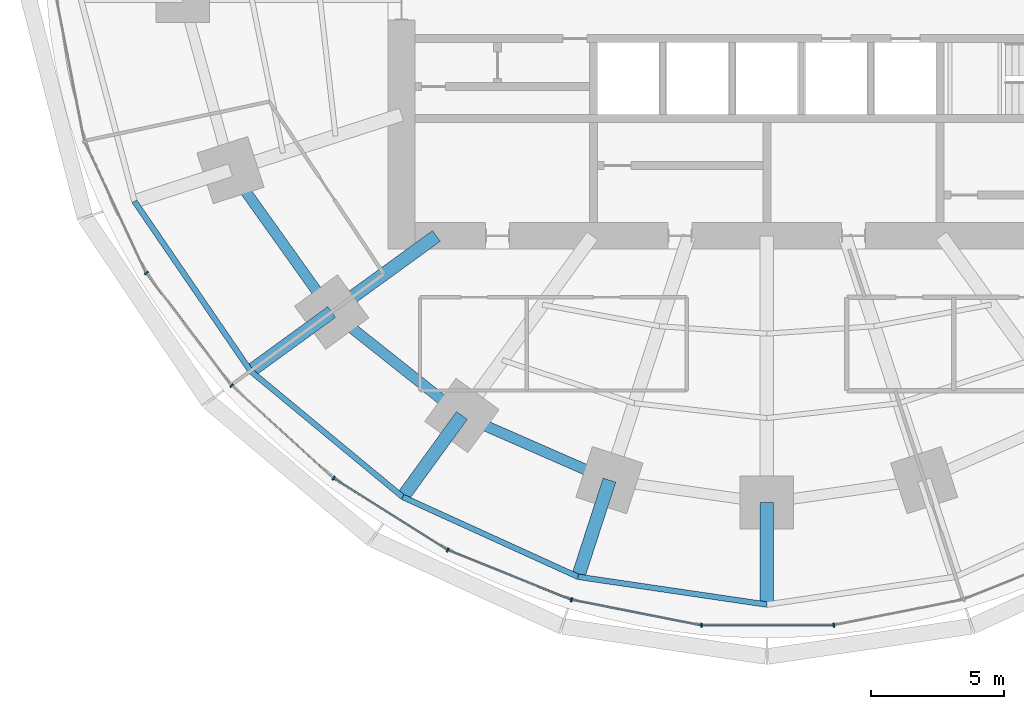
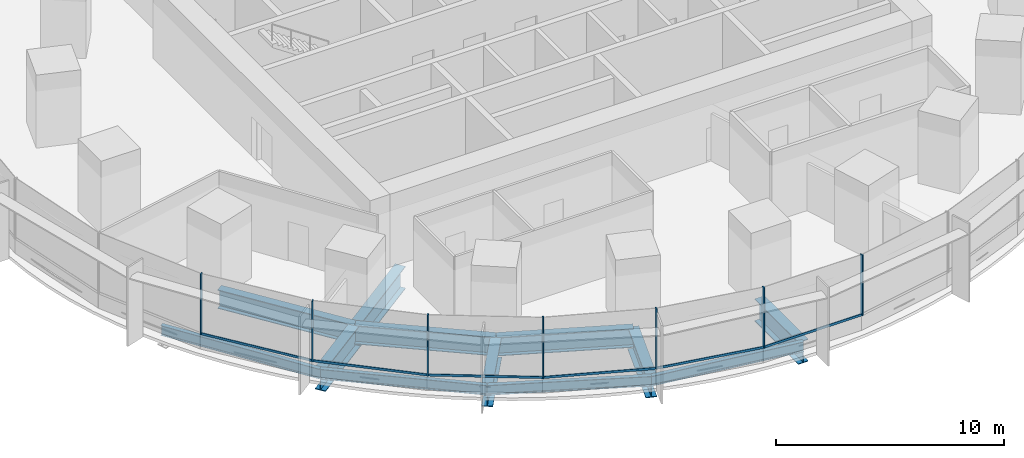
# One storey, part 2 of 15: 13 members, 12 beams, 2 elements without a shape of their own.
"""IFC4 building model written with IfcOpenShell, lengths in metres."""

from ifc_helpers import new_model, si_unit, direction, frame, origin, origin_2d, place, context, subcontext, project, spatial, rectangle, i_section, extrude, material, material_profile, profile_set, type_object, element, aggregate, save


model = new_model("IFC4")

# Units and contexts
model_context = context("Model", 3, precision=1e-05, world=origin(), true_north=direction((0.0, 1.0)))
body_context = subcontext(model_context, "Body", "Model", "MODEL_VIEW")
ifc_project = project(units=[si_unit("LENGTHUNIT", "METRE"), si_unit("AREAUNIT", "SQUARE_METRE"), si_unit("VOLUMEUNIT", "CUBIC_METRE"), si_unit("PLANEANGLEUNIT", "RADIAN"), si_unit("MASSUNIT", "GRAM", prefix="KILO")], contexts=[model_context])

# Site, building, storey
site_placement = place(None, origin())
site = spatial("IfcSite", under=ifc_project, at=site_placement, CompositionType="ELEMENT")
building_placement = place(site_placement, origin())
building = spatial("IfcBuilding", under=site, at=building_placement, Name="Marramba Exchange Tower", CompositionType="ELEMENT")
storey_placement = place(building_placement, frame((0.0, 0.0, 28.0)))
storey = spatial("IfcBuildingStorey", under=building, at=storey_placement, Name="L06", CompositionType="ELEMENT", Elevation=28.0)

# Beams
ifc_material_1 = material(Name="Steel AS/NZS 3679.2 grade 300", Category="steel")
ifc_material_profile_1 = material_profile(ifc_material_1, i_section(OverallWidth=0.5, OverallDepth=1.199951171875, WebThickness=0.01611328125, FlangeThickness=0.0400390625, at=origin_2d()), Name="1200WB455")
ifc_profile_set_1 = profile_set([ifc_material_profile_1], Name="Steel AS/NZS 3679.2 grade 300")
beam_type_1 = type_object("IfcBeamType", Name="Cantilever girder 1200WB455", PredefinedType="BEAM", material=ifc_profile_set_1)
beam_1_placement = place(storey_placement, frame((-16.3154296875, -11.853759765625, -0.760009765625), z_axis=(-0.809008346081, -0.587797155463, 0.0), x_axis=(0.587797155463, -0.809008346081, 0.0)))
element("IfcBeam", 1, at=beam_1_placement, inside=storey, type_object=beam_type_1, Name="Cantilever girder L06 TC13", PredefinedType="BEAM", context=body_context, shape_type="SweptSolid", body=[
    extrude(i_section(OverallWidth=0.5, OverallDepth=1.199951171875, WebThickness=0.01611328125, FlangeThickness=0.0400390625, at=origin_2d()), origin(), (0.0, 0.0, 1.0), 3.76025390625),
])
beam_2_placement = place(storey_placement, frame((-11.430419921875, -15.732666015625, -0.760009765625), z_axis=(-0.587787232741, -0.809015555491, 0.0), x_axis=(0.809015555491, -0.587787232741, 0.0)))
element("IfcBeam", 2, at=beam_2_placement, inside=storey, type_object=beam_type_1, Name="Cantilever girder L06 TC14", PredefinedType="BEAM", context=body_context, shape_type="SweptSolid", body=[
    extrude(i_section(OverallWidth=0.5, OverallDepth=1.199951171875, WebThickness=0.01611328125, FlangeThickness=0.0400390625, at=origin_2d()), origin(), (0.0, 0.0, 1.0), 3.7763671875),
])
beam_3_placement = place(storey_placement, frame((-5.899658203125, -18.156982421875, -0.760009765625), z_axis=(-0.309009272901, -0.951059025119, 0.0), x_axis=(0.951059025119, -0.309009272901, 0.0)))
element("IfcBeam", 3, at=beam_3_placement, inside=storey, type_object=beam_type_1, Name="Cantilever girder L06 TC15", PredefinedType="BEAM", context=body_context, shape_type="SweptSolid", body=[
    extrude(i_section(OverallWidth=0.5, OverallDepth=1.199951171875, WebThickness=0.01611328125, FlangeThickness=0.0400390625, at=origin_2d()), origin(), (0.0, 0.0, 1.0), 3.809814453125),
])
beam_4_placement = place(storey_placement, frame((0.0, -18.99609375, -0.760009765625), z_axis=(0.0, -1.0, 0.0), x_axis=(1.0, 0.0, 0.0)))
element("IfcBeam", 4, at=beam_4_placement, inside=storey, type_object=beam_type_1, Name="Cantilever girder L06 TC16", PredefinedType="BEAM", context=body_context, shape_type="SweptSolid", body=[
    extrude(i_section(OverallWidth=0.5, OverallDepth=1.199951171875, WebThickness=0.01611328125, FlangeThickness=0.0400390625, at=origin_2d()), origin(), (0.0, 0.0, 1.0), 3.825927734375),
])
ifc_material_profile_2 = material_profile(ifc_material_1, i_section(OverallWidth=0.5, OverallDepth=1.199951171875, WebThickness=0.01611328125, FlangeThickness=0.0400390625, at=origin_2d()), Name="1200WB455")
ifc_profile_set_2 = profile_set([ifc_material_profile_2], Name="Steel AS/NZS 3679.2 grade 300")
beam_type_2 = type_object("IfcBeamType", Name="Radial girder 1200WB455", PredefinedType="BEAM", material=ifc_profile_set_2)
beam_5_placement = place(storey_placement, frame((-12.387451171875, -9.0, -0.760009765625), z_axis=(-0.809025189606, -0.58777397236, 0.0), x_axis=(0.58777397236, -0.809025189606, 0.0)))
element("IfcBeam", 5, at=beam_5_placement, inside=storey, type_object=beam_type_2, Name="Radial girder L06 TC13", PredefinedType="BEAM", context=body_context, shape_type="SweptSolid", body=[
    extrude(i_section(OverallWidth=0.5, OverallDepth=1.199951171875, WebThickness=0.01611328125, FlangeThickness=0.0400390625, at=origin_2d()), origin(), (0.0, 0.0, 1.0), 4.855224609375),
])
ifc_material_profile_3 = material_profile(ifc_material_1, i_section(OverallWidth=0.39990234375, OverallDepth=1.0, WebThickness=0.01611328125, FlangeThickness=0.031982421875, at=origin_2d()), Name="1000WB322")
ifc_profile_set_3 = profile_set([ifc_material_profile_3], Name="Steel AS/NZS 3679.2 grade 300")
beam_type_3 = type_object("IfcBeamType", Name="Ring beam 1000WB322", PredefinedType="SPANDREL", material=ifc_profile_set_3)
beam_6_placement = place(storey_placement, frame((-20.109375, -6.533935546875, -0.659912109375), z_axis=(0.580637181111, -0.814162430914, 0.0), x_axis=(0.814162430914, 0.580637181111, 0.0)))
element("IfcBeam", 6, at=beam_6_placement, inside=storey, type_object=beam_type_3, Name="Ring beam L06 TC12-TC13", PredefinedType="SPANDREL", context=body_context, shape_type="SweptSolid", body=[
    extrude(i_section(OverallWidth=0.39990234375, OverallDepth=1.0, WebThickness=0.01611328125, FlangeThickness=0.031982421875, at=origin_2d()), origin(), (0.0, 0.0, 1.0), 6.5341796875),
])
beam_7_placement = place(storey_placement, frame((-16.3154296875, -11.853759765625, -0.659912109375), z_axis=(0.783139438128, -0.621846138887, 0.0), x_axis=(0.621846138887, 0.783139438128, 0.0)))
element("IfcBeam", 7, at=beam_7_placement, inside=storey, type_object=beam_type_3, Name="Ring beam L06 TC13-TC14", PredefinedType="SPANDREL", context=body_context, shape_type="SweptSolid", body=[
    extrude(i_section(OverallWidth=0.39990234375, OverallDepth=1.0, WebThickness=0.01611328125, FlangeThickness=0.031982421875, at=origin_2d()), origin(), (0.0, 0.0, 1.0), 6.23779296875),
])
beam_8_placement = place(storey_placement, frame((-11.430419921875, -15.732666015625, -0.659912109375), z_axis=(0.915876892158, -0.4014592363, 0.0), x_axis=(0.4014592363, 0.915876892158, 0.0)))
element("IfcBeam", 8, at=beam_8_placement, inside=storey, type_object=beam_type_3, Name="Ring beam L06 TC14-TC15", PredefinedType="SPANDREL", context=body_context, shape_type="SweptSolid", body=[
    extrude(i_section(OverallWidth=0.39990234375, OverallDepth=1.0, WebThickness=0.01611328125, FlangeThickness=0.031982421875, at=origin_2d()), origin(), (0.0, 0.0, 1.0), 6.038818359375),
])
ifc_material_2 = material(Name="Steel AS/NZS 3679.1 grade 300", Category="steel")
ifc_material_profile_4 = material_profile(ifc_material_2, i_section(OverallWidth=0.208984375, OverallDepth=0.528076171875, WebThickness=0.009521484375, FlangeThickness=0.01318359375, FilletRadius=0.013916015625, at=origin_2d()), Name="530UB82.0")
ifc_profile_set_4 = profile_set([ifc_material_profile_4], Name="Steel AS/NZS 3679.1 grade 300")
beam_type_4 = type_object("IfcBeamType", Name="Slab edge beam 530UB82.0", PredefinedType="SPANDREL", material=ifc_profile_set_4)
beam_9_placement = place(storey_placement, frame((-23.709716796875, -7.703857421875, -0.424072265625), z_axis=(0.564740697285, -0.82526840775, 0.0), x_axis=(0.82526840775, 0.564740697285, 0.0)))
element("IfcBeam", 9, at=beam_9_placement, inside=storey, type_object=beam_type_4, Name="Slab edge beam L06 TC12-TC13", PredefinedType="SPANDREL", context=body_context, shape_type="SweptSolid", body=[
    extrude(i_section(OverallWidth=0.208984375, OverallDepth=0.528076171875, WebThickness=0.009521484375, FlangeThickness=0.01318359375, FilletRadius=0.013916015625, at=origin_2d()), origin(), (0.0, 0.0, 1.0), 7.706787109375),
])
beam_10_placement = place(storey_placement, frame((-19.357421875, -14.06396484375, -0.424072265625), z_axis=(0.770353575372, -0.637616945283, 0.0), x_axis=(0.637616945283, 0.770353575372, 0.0)))
element("IfcBeam", 10, at=beam_10_placement, inside=storey, type_object=beam_type_4, Name="Slab edge beam L06 TC13-TC14", PredefinedType="SPANDREL", context=body_context, shape_type="SweptSolid", body=[
    extrude(i_section(OverallWidth=0.208984375, OverallDepth=0.528076171875, WebThickness=0.009521484375, FlangeThickness=0.01318359375, FilletRadius=0.013916015625, at=origin_2d()), origin(), (0.0, 0.0, 1.0), 7.40869140625),
])
beam_11_placement = place(storey_placement, frame((-13.650146484375, -18.787841796875, -0.424072265625), z_axis=(0.910126690081, -0.414330071324, 0.0), x_axis=(0.414330071324, 0.910126690081, 0.0)))
element("IfcBeam", 11, at=beam_11_placement, inside=storey, type_object=beam_type_4, Name="Slab edge beam L06 TC14-TC15", PredefinedType="SPANDREL", context=body_context, shape_type="SweptSolid", body=[
    extrude(i_section(OverallWidth=0.208984375, OverallDepth=0.528076171875, WebThickness=0.009521484375, FlangeThickness=0.01318359375, FilletRadius=0.013916015625, at=origin_2d()), origin(), (0.0, 0.0, 1.0), 7.222412109375),
])
beam_12_placement = place(storey_placement, frame((-7.076904296875, -21.7802734375, -0.424072265625), z_axis=(0.989338462178, -0.145634498848, 0.0), x_axis=(0.145634498848, 0.989338462178, 0.0)))
element("IfcBeam", 12, at=beam_12_placement, inside=storey, type_object=beam_type_4, Name="Slab edge beam L06 TC15-TC16", PredefinedType="SPANDREL", context=body_context, shape_type="SweptSolid", body=[
    extrude(i_section(OverallWidth=0.208984375, OverallDepth=0.528076171875, WebThickness=0.009521484375, FlangeThickness=0.01318359375, FilletRadius=0.013916015625, at=origin_2d()), origin(), (0.0, 0.0, 1.0), 7.153076171875),
])

# Curtain wall, members
ifc_material_3 = material(Name="Aluminium framing, bronze anodised", Category="aluminium")
curtain_wall_type = type_object("IfcCurtainWallType", Name="Trading floor ribbon curtain wall", PredefinedType="USERDEFINED", material=ifc_material_3)
curtain_wall_1_placement = place(storey_placement, origin())
curtain_wall_1 = element("IfcCurtainWall", 13, at=curtain_wall_1_placement, inside=storey, type_object=curtain_wall_type, Name="Curtain wall CW3 L06 F16-F20", ObjectType="RIBBON CURTAIN WALL", PredefinedType="USERDEFINED")
ifc_material_4 = material(Name="Aluminium mullion, bronze anodised", Category="aluminium")
ifc_material_profile_5 = material_profile(ifc_material_4, rectangle(XDim=0.159912109375, YDim=0.06005859375, at=origin_2d()), Name="CW3 mullion 60x160")
ifc_profile_set_5 = profile_set([ifc_material_profile_5], Name="Aluminium mullion, bronze anodised")
member_type_1 = type_object("IfcMemberType", Name="Trading floor ribbon curtain wall mullion", PredefinedType="MULLION", material=ifc_profile_set_5)
member_1_placement = place(storey_placement, frame((-23.26318359375, -10.389404296875, 0.800048828125), z_axis=(0.0, 0.0, 1.0), x_axis=(0.797710591138, 0.603040473588, 0.0)))
member_1 = element("IfcMember", 14, at=member_1_placement, type_object=member_type_1, Name="CW3 mullion 1", PredefinedType="MULLION", context=body_context, shape_type="SweptSolid", body=[
    extrude(rectangle(XDim=0.159912109375, YDim=0.06005859375, at=origin_2d()), origin(), (0.0, 0.0, 1.0), 3.239990234375),
])
member_2_placement = place(storey_placement, frame((-20.063232421875, -14.61328125, 0.800048828125), z_axis=(0.0, 0.0, 1.0), x_axis=(0.673058133441, 0.739589581463, 0.0)))
member_2 = element("IfcMember", 15, at=member_2_placement, type_object=member_type_1, Name="CW3 mullion 1", PredefinedType="MULLION", context=body_context, shape_type="SweptSolid", body=[
    extrude(rectangle(XDim=0.159912109375, YDim=0.06005859375, at=origin_2d()), origin(), (0.0, 0.0, 1.0), 3.239990234375),
])
member_3_placement = place(storey_placement, frame((-16.242431640625, -18.083251953125, 0.800048828125), z_axis=(0.0, 0.0, 1.0), x_axis=(0.533514646612, 0.845790826298, 0.0)))
member_3 = element("IfcMember", 16, at=member_3_placement, type_object=member_type_1, Name="CW3 mullion 1", PredefinedType="MULLION", context=body_context, shape_type="SweptSolid", body=[
    extrude(rectangle(XDim=0.159912109375, YDim=0.06005859375, at=origin_2d()), origin(), (0.0, 0.0, 1.0), 3.239990234375),
])

curtain_wall_2_placement = place(storey_placement, origin())
curtain_wall_2 = element("IfcCurtainWall", 17, at=curtain_wall_2_placement, inside=storey, type_object=curtain_wall_type, Name="Curtain wall CW3 L06 F21-F25", ObjectType="RIBBON CURTAIN WALL", PredefinedType="USERDEFINED")
member_4_placement = place(storey_placement, frame((-11.96142578125, -20.77734375, 0.800048828125), z_axis=(0.0, 0.0, 1.0), x_axis=(0.374218219325, 0.927340673283, 0.0)))
member_4 = element("IfcMember", 18, at=member_4_placement, type_object=member_type_1, Name="CW3 mullion 1", PredefinedType="MULLION", context=body_context, shape_type="SweptSolid", body=[
    extrude(rectangle(XDim=0.159912109375, YDim=0.06005859375, at=origin_2d()), origin(), (0.0, 0.0, 1.0), 3.239990234375),
])
member_5_placement = place(storey_placement, frame((-7.325439453125, -22.64208984375, 0.800048828125), z_axis=(0.0, 0.0, 1.0), x_axis=(0.193961202977, 0.98100920064, 0.0)))
member_5 = element("IfcMember", 19, at=member_5_placement, type_object=member_type_1, Name="CW3 mullion 1", PredefinedType="MULLION", context=body_context, shape_type="SweptSolid", body=[
    extrude(rectangle(XDim=0.159912109375, YDim=0.06005859375, at=origin_2d()), origin(), (0.0, 0.0, 1.0), 3.239990234375),
])
member_6_placement = place(storey_placement, frame((-2.450439453125, -23.599853515625, 0.800048828125), z_axis=(0.0, 0.0, 1.0), x_axis=(0.0, 1.0, 0.0)))
member_6 = element("IfcMember", 20, at=member_6_placement, type_object=member_type_1, Name="CW3 mullion 1", PredefinedType="MULLION", context=body_context, shape_type="SweptSolid", body=[
    extrude(rectangle(XDim=0.159912109375, YDim=0.06005859375, at=origin_2d()), origin(), (0.0, 0.0, 1.0), 3.239990234375),
])
member_7_placement = place(storey_placement, frame((2.509765625, -23.59423828125, 0.800048828125), z_axis=(0.0, 0.0, 1.0), x_axis=(-0.193961202977, 0.98100920064, 0.0)))
member_7 = element("IfcMember", 21, at=member_7_placement, type_object=member_type_1, Name="CW3 mullion 1", PredefinedType="MULLION", context=body_context, shape_type="SweptSolid", body=[
    extrude(rectangle(XDim=0.159912109375, YDim=0.06005859375, at=origin_2d()), origin(), (0.0, 0.0, 1.0), 3.239990234375),
])

# Member
ifc_material_5 = material(Name="Aluminium transom, bronze anodised", Category="aluminium")
ifc_material_profile_6 = material_profile(ifc_material_5, rectangle(XDim=0.06005859375, YDim=0.1201171875, at=origin_2d()), Name="CW3 transom 60x120")
ifc_profile_set_6 = profile_set([ifc_material_profile_6], Name="Aluminium transom, bronze anodised")
member_type_2 = type_object("IfcMemberType", Name="Trading floor ribbon curtain wall transom", PredefinedType="USERDEFINED", material=ifc_profile_set_6)
member_8_placement = place(storey_placement, frame((-23.2451171875, -10.413330078125, 0.830078125), z_axis=(0.603037409419, -0.797712907531, 0.0), x_axis=(0.797712907531, 0.603037409419, 0.0)))
member_8 = element("IfcMember", 22, at=member_8_placement, type_object=member_type_2, Name="CW3 sill transom", ObjectType="TRANSOM", PredefinedType="USERDEFINED", context=body_context, shape_type="SweptSolid", body=[
    extrude(rectangle(XDim=0.06005859375, YDim=0.1201171875, at=origin_2d()), origin(), (0.0, 0.0, 1.0), 5.239501953125),
])

member_9_placement = place(storey_placement, frame((-20.041015625, -14.63330078125, 0.830078125), z_axis=(0.739582688456, -0.673065707741, 0.0), x_axis=(0.673065707741, 0.739582688456, 0.0)))
member_9 = element("IfcMember", 23, at=member_9_placement, type_object=member_type_2, Name="CW3 sill transom", ObjectType="TRANSOM", PredefinedType="USERDEFINED", context=body_context, shape_type="SweptSolid", body=[
    extrude(rectangle(XDim=0.06005859375, YDim=0.1201171875, at=origin_2d()), origin(), (0.0, 0.0, 1.0), 5.101806640625),
])

member_10_placement = place(storey_placement, frame((-16.217041015625, -18.09912109375, 0.830078125), z_axis=(0.845776602594, -0.533537195053, 0.0), x_axis=(0.533537195053, 0.845776602594, 0.0)))
member_10 = element("IfcMember", 24, at=member_10_placement, type_object=member_type_2, Name="CW3 sill transom", ObjectType="TRANSOM", PredefinedType="USERDEFINED", context=body_context, shape_type="SweptSolid", body=[
    extrude(rectangle(XDim=0.06005859375, YDim=0.1201171875, at=origin_2d()), origin(), (0.0, 0.0, 1.0), 4.998779296875),
])

aggregate(curtain_wall_1, [member_1, member_8, member_2, member_9, member_3, member_10])

member_11_placement = place(storey_placement, frame((-11.93359375, -20.78857421875, 0.830078125), z_axis=(0.927340197166, -0.374219399176, 0.0), x_axis=(0.374219399176, 0.927340197166, 0.0)))
member_11 = element("IfcMember", 25, at=member_11_placement, type_object=member_type_2, Name="CW3 sill transom", ObjectType="TRANSOM", PredefinedType="USERDEFINED", context=body_context, shape_type="SweptSolid", body=[
    extrude(rectangle(XDim=0.06005859375, YDim=0.1201171875, at=origin_2d()), origin(), (0.0, 0.0, 1.0), 4.937255859375),
])

member_12_placement = place(storey_placement, frame((-7.296142578125, -22.64794921875, 0.830078125), z_axis=(0.981018169547, -0.193915834883, 0.0), x_axis=(0.193915834883, 0.981018169547, 0.0)))
member_12 = element("IfcMember", 26, at=member_12_placement, type_object=member_type_2, Name="CW3 sill transom", ObjectType="TRANSOM", PredefinedType="USERDEFINED", context=body_context, shape_type="SweptSolid", body=[
    extrude(rectangle(XDim=0.06005859375, YDim=0.1201171875, at=origin_2d()), origin(), (0.0, 0.0, 1.0), 4.908935546875),
])

member_13_placement = place(storey_placement, frame((-2.42041015625, -23.599853515625, 0.830078125), z_axis=(1.0, 0.0, 0.0), x_axis=(0.0, 1.0, 0.0)))
member_13 = element("IfcMember", 27, at=member_13_placement, type_object=member_type_2, Name="CW3 sill transom", ObjectType="TRANSOM", PredefinedType="USERDEFINED", context=body_context, shape_type="SweptSolid", body=[
    extrude(rectangle(XDim=0.06005859375, YDim=0.1201171875, at=origin_2d()), origin(), (0.0, 0.0, 1.0), 4.90087890625),
])

aggregate(curtain_wall_2, [member_4, member_11, member_5, member_12, member_6, member_13, member_7])

save(model, "model.ifc")
